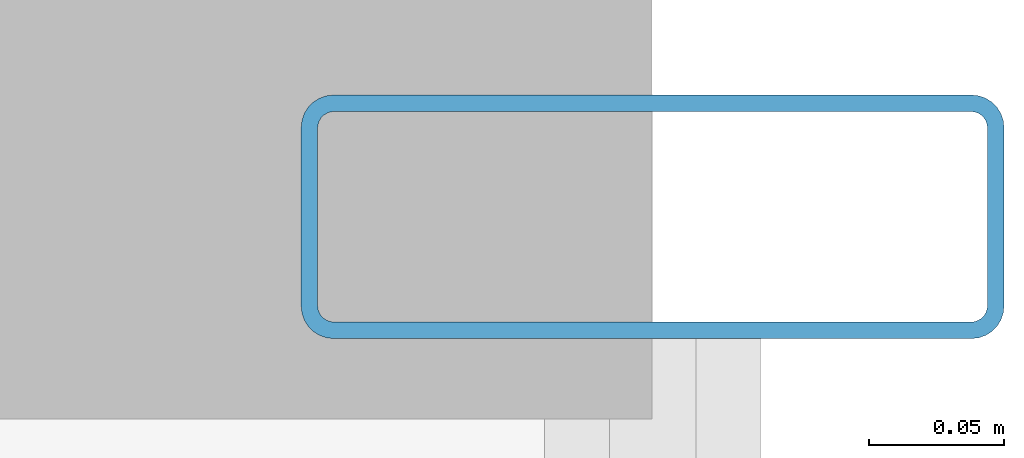
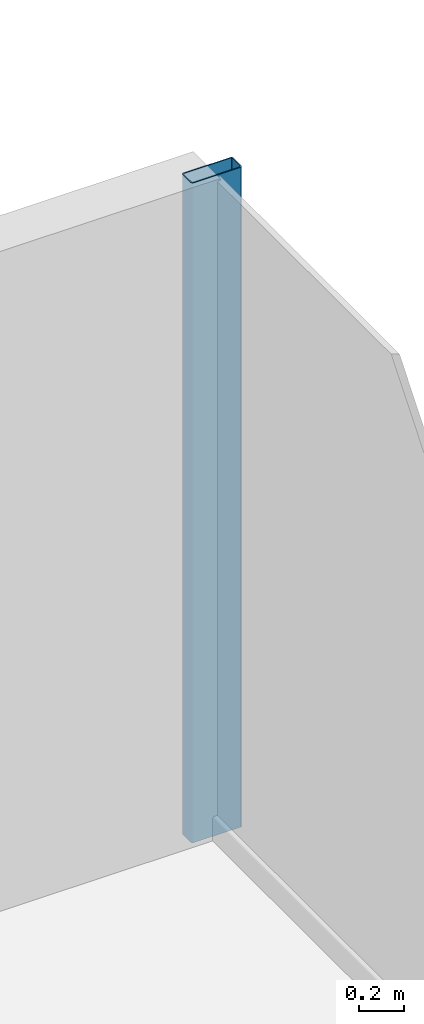
# One storey, part 18 of 26: 1 member, 1 element without a shape of its own.
"""IFC4 building model written with IfcOpenShell, lengths in metres."""

from ifc_helpers import new_model, si_unit, direction, frame, origin, origin_2d, place, context, subcontext, project, spatial, hollow_rectangle, extrude, source, transform, mapped, material, layer, layer_set, material_profile, profile_set, type_object, element, aggregate, save


model = new_model("IFC4")

# Units and contexts
model_context = context("Model", 3, precision=1e-05, world=origin(), true_north=direction((0.0, 1.0)))
body_context = subcontext(model_context, "Body", "Model", "MODEL_VIEW")
ifc_project = project(units=[si_unit("LENGTHUNIT", "METRE"), si_unit("AREAUNIT", "SQUARE_METRE"), si_unit("VOLUMEUNIT", "CUBIC_METRE"), si_unit("PLANEANGLEUNIT", "RADIAN"), si_unit("MASSUNIT", "GRAM", prefix="KILO")], contexts=[model_context])

# Site, building, storey
site_placement = place(None, origin())
site = spatial("IfcSite", under=ifc_project, at=site_placement, CompositionType="ELEMENT")
building_placement = place(site_placement, origin())
building = spatial("IfcBuilding", under=site, at=building_placement, Name="Nefas-Gora Pilgrimage Tower", CompositionType="ELEMENT")
storey_placement = place(building_placement, frame((0.0, 0.0, 121.199951171875)))
storey = spatial("IfcBuildingStorey", under=building, at=storey_placement, Name="L29", CompositionType="ELEMENT", Elevation=121.199951171875)

# Curtain wall, member
ifc_material_1 = material(Name="Dark ceramic-fritted solar-control aluminium-glass curtain wall", Category="aluminium")
ifc_layer = layer(ifc_material_1, 0.219970703125)
ifc_layer_set = layer_set([ifc_layer], Name="Dark ceramic-fritted solar-control aluminium-glass curtain wall")
curtain_wall_type = type_object("IfcCurtainWallType", Name="CW-SYS-2", PredefinedType="NOTDEFINED", material=ifc_layer_set)
curtain_wall_placement = place(storey_placement, origin())
curtain_wall = element("IfcCurtainWall", 1, at=curtain_wall_placement, inside=storey, type_object=curtain_wall_type, Name="L29 Unitised Curtain Wall CW2", PredefinedType="NOTDEFINED")
ifc_material_2 = material(Name="Anodised architectural aluminium", Category="aluminium")
ifc_material_profile = material_profile(ifc_material_2, hollow_rectangle(XDim=0.090087890625, YDim=0.260009765625, WallThickness=0.006103515625, InnerFilletRadius=0.006103515625, OuterFilletRadius=0.011962890625, at=origin_2d()), Name="ALU MULLION 90x260")
ifc_profile_set = profile_set([ifc_material_profile], Name="Anodised architectural aluminium")
member_type = type_object("IfcMemberType", Name="CWM-MUL-2", PredefinedType="MULLION", material=ifc_profile_set)
shared_shape = source(origin(), body_context, "Body", "SweptSolid", [
    extrude(hollow_rectangle(XDim=0.090087890625, YDim=0.260009765625, WallThickness=0.006103515625, InnerFilletRadius=0.006103515625, OuterFilletRadius=0.011962890625, at=origin_2d()), origin(), (0.0, 0.0, 1.0), 3.550048828125),
])
member_placement = place(storey_placement, frame((34.27001953125, 17.574951171875, 0.0), z_axis=(0.0, 0.0, 1.0), x_axis=(0.0, 1.0, 0.0)))
member = element("IfcMember", 2, at=member_placement, type_object=member_type, Name="CW2 Mullion 2", PredefinedType="MULLION", context=body_context, shape_type="MappedRepresentation", body=[
    mapped(shared_shape, transform((0.0, 0.0, 0.0), x_axis=(1.0, 0.0, 0.0), y_axis=(0.0, 1.0, 0.0), z_axis=(0.0, 0.0, 1.0), scale=1.0)),
])
aggregate(curtain_wall, [member])

save(model, "model.ifc")
